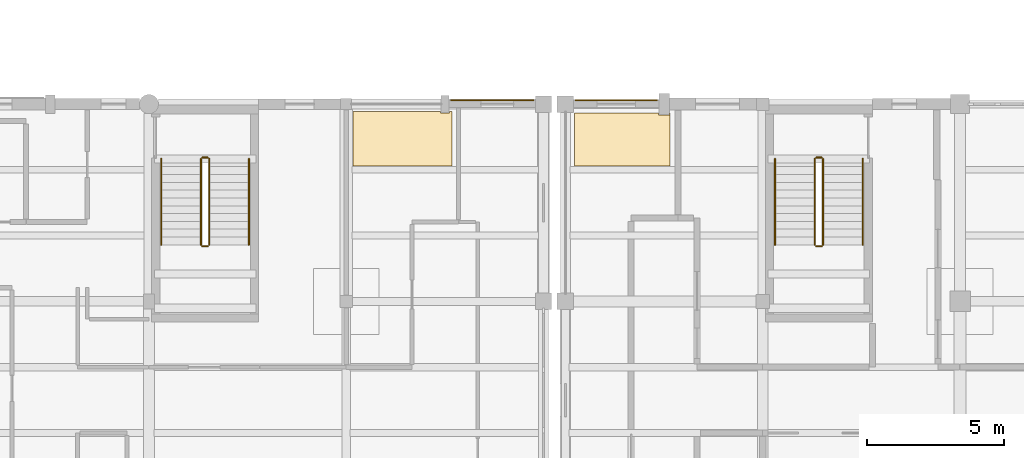
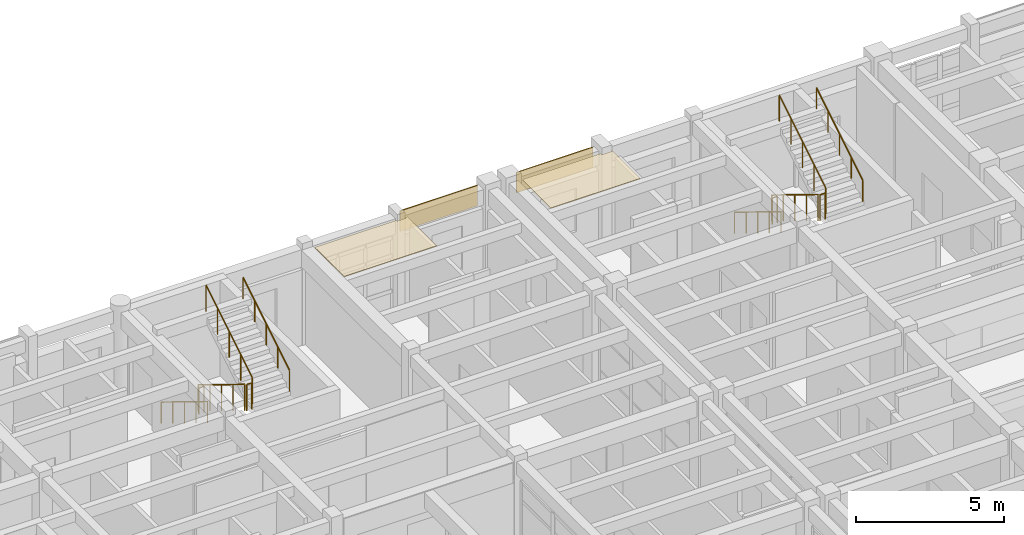
# One storey, part 107 of 110: 12 railings, 4 coverings.
"""IFC4 building model written with IfcOpenShell, lengths in metres."""

from ifc_helpers import new_model, si_unit, direction, frame, origin, origin_2d, place, context, subcontext, project, spatial, polyline, rectangle, circle, outline, extrude, material, layer, layer_set, type_object, element, save


model = new_model("IFC4")

# Units and contexts
model_context = context("Model", 3, precision=1e-05, world=origin(), true_north=direction((0.0, 1.0)))
body_context = subcontext(model_context, "Body", "Model", "MODEL_VIEW")
ifc_project = project(units=[si_unit("LENGTHUNIT", "METRE"), si_unit("AREAUNIT", "SQUARE_METRE"), si_unit("VOLUMEUNIT", "CUBIC_METRE"), si_unit("PLANEANGLEUNIT", "RADIAN"), si_unit("MASSUNIT", "GRAM", prefix="KILO")], contexts=[model_context])

# Site, building, storey
site_placement = place(None, origin())
site = spatial("IfcSite", under=ifc_project, at=site_placement, CompositionType="ELEMENT")
building_placement = place(site_placement, origin())
building = spatial("IfcBuilding", under=site, at=building_placement, Name="Steenspoor Specialist Clinic", CompositionType="ELEMENT")
storey_placement = place(building_placement, frame((0.0, 0.0, 4.800048828125)))
storey = spatial("IfcBuildingStorey", under=building, at=storey_placement, Name="L01", CompositionType="ELEMENT", Elevation=4.800048828125)

# Coverings
ifc_material_1 = material(Name="Washable acoustic mineral ceiling board", Category="gypsum")
ifc_layer_1 = layer(ifc_material_1, 0.02490234375)
ifc_layer_set_1 = layer_set([ifc_layer_1], Name="Washable acoustic mineral ceiling board")
covering_type_1 = type_object("IfcCoveringType", Name="COV-CEIL-ACOUSTIC", PredefinedType="CEILING", material=ifc_layer_set_1)
covering_1_placement = place(storey_placement, frame((0.0, 0.0, 3.925048828125)))
element("IfcCovering", 1, at=covering_1_placement, inside=storey, type_object=covering_type_1, Name="Acoustic Clinical Ceiling 108", PredefinedType="CEILING", context=body_context, shape_type="SweptSolid", body=[
    extrude(outline(polyline([(113.43505859375, 108.074951171875), (113.43505859375, 108.02490234375), (113.764892578125, 108.02490234375), (113.764892578125, 108.074951171875), (113.864990234375, 108.074951171875), (113.864990234375, 106.090087890625), (110.2451171875, 106.090087890625), (110.2451171875, 108.074951171875), (113.43505859375, 108.074951171875)])), origin(), (0.0, 0.0, 1.0), 0.02490234375),
])
covering_2_placement = place(storey_placement, frame((0.0, 0.0, 3.925048828125)))
element("IfcCovering", 2, at=covering_2_placement, inside=storey, type_object=covering_type_1, Name="Acoustic Clinical Ceiling 130", PredefinedType="CEILING", context=body_context, shape_type="SweptSolid", body=[
    extrude(outline(polyline([(118.324951171875, 108.02490234375), (121.39501953125, 108.02490234375), (121.39501953125, 107.955078125), (121.804931640625, 107.955078125), (121.804931640625, 108.02490234375), (121.81494140625, 108.02490234375), (121.81494140625, 106.090087890625), (118.324951171875, 106.090087890625), (118.324951171875, 108.02490234375)])), origin(), (0.0, 0.0, 1.0), 0.02490234375),
])
ifc_material_2 = material(Name="Glazed ceramic relief spandrel cladding", Category="masonry")
ifc_layer_2 = layer(ifc_material_2, 0.034912109375)
ifc_layer_set_2 = layer_set([ifc_layer_2], Name="Glazed ceramic relief spandrel cladding")
covering_type_2 = type_object("IfcCoveringType", Name="COV-CLAD-CERAMIC", PredefinedType="CLADDING", material=ifc_layer_set_2)
covering_3_placement = place(storey_placement, frame((115.324951171875, 108.489990234375, 3.11474609375), z_axis=(0.0, 0.0, 1.0), x_axis=(1.0, 0.0, 0.0)))
element("IfcCovering", 3, at=covering_3_placement, inside=storey, type_object=covering_type_2, Name="Spandrel Cladding 36", PredefinedType="CLADDING", context=body_context, shape_type="SweptSolid", body=[
    extrude(rectangle(XDim=3.030029296875, YDim=0.0400390625, at=origin_2d()), origin(), (0.0, 0.0, 1.0), 0.840087890625),
])
covering_4_placement = place(storey_placement, frame((119.85498046875, 108.489990234375, 3.11474609375), z_axis=(0.0, 0.0, 1.0), x_axis=(1.0, 0.0, 0.0)))
element("IfcCovering", 4, at=covering_4_placement, inside=storey, type_object=covering_type_2, Name="Spandrel Cladding 86", PredefinedType="CLADDING", context=body_context, shape_type="SweptSolid", body=[
    extrude(rectangle(XDim=2.989990234375, YDim=0.0400390625, at=origin_2d()), origin(), (0.0, 0.0, 1.0), 0.840087890625),
])

# Railings
ifc_material_3 = material(Name="Painted architectural steel balustrade", Category="steel")
railing_type_1 = type_object("IfcRailingType", Name="RAIL-GUARD-1100", PredefinedType="GUARDRAIL", material=ifc_material_3)
railing_1_placement = place(storey_placement, frame((104.699951171875, 106.35009765625, 0.175048828125)))
element("IfcRailing", 5, at=railing_1_placement, inside=storey, type_object=railing_type_1, Name="L01 ST-V4B stair guard 1", PredefinedType="GUARDRAIL", context=body_context, shape_type="SweptSolid", body=[
    extrude(circle(Radius=0.02392578125, at=origin_2d()), frame((0.0, 0.0, 1.076171875), z_axis=(0.0, -0.852195625947, 0.523223293744), x_axis=(1.0, 0.0, 0.0)), (0.0, 0.0, 1.0), 3.6787109375),
    extrude(circle(Radius=0.02099609375, at=origin_2d()), origin(), (0.0, 0.0, 1.0), 1.052001953125),
    extrude(circle(Radius=0.02099609375, at=origin_2d()), frame((0.0, -0.78369140625, 0.481201171875)), (0.0, 0.0, 1.0), 1.052001953125),
    extrude(circle(Radius=0.02099609375, at=origin_2d()), frame((0.0, -1.5673828125, 0.96240234375)), (0.0, 0.0, 1.0), 1.052001953125),
    extrude(circle(Radius=0.02099609375, at=origin_2d()), frame((0.0, -2.351318359375, 1.443603515625)), (0.0, 0.0, 1.0), 1.052001953125),
    extrude(circle(Radius=0.02099609375, at=origin_2d()), frame((0.0, -3.135009765625, 1.9248046875)), (0.0, 0.0, 1.0), 1.052001953125),
])
railing_2_placement = place(storey_placement, frame((104.75, 103.1650390625, 2.099853515625)))
element("IfcRailing", 6, at=railing_2_placement, inside=storey, type_object=railing_type_1, Name="L01 ST-V4B stair guard 2", PredefinedType="GUARDRAIL", context=body_context, shape_type="SweptSolid", body=[
    extrude(circle(Radius=0.02392578125, at=origin_2d()), frame((0.0, 0.0, 1.076171875), z_axis=(1.0, 0.0, 0.0), x_axis=(0.0, 1.0, 0.0)), (0.0, 0.0, 1.0), 0.199951171875),
    extrude(circle(Radius=0.02099609375, at=origin_2d()), origin(), (0.0, 0.0, 1.0), 1.052001953125),
    extrude(circle(Radius=0.02099609375, at=origin_2d()), frame((0.199951171875, 0.0, 0.0)), (0.0, 0.0, 1.0), 1.052001953125),
])
railing_3_placement = place(storey_placement, frame((105.0, 103.215087890625, 2.27490234375)))
element("IfcRailing", 7, at=railing_3_placement, inside=storey, type_object=railing_type_1, Name="L01 ST-V4B stair guard 3", PredefinedType="GUARDRAIL", context=body_context, shape_type="SweptSolid", body=[
    extrude(circle(Radius=0.02392578125, at=origin_2d()), frame((0.0, 0.0, 1.076171875), z_axis=(0.0, 0.852166034122, 0.523271488128), x_axis=(-1.0, 0.0, 0.0)), (0.0, 0.0, 1.0), 3.678955078125),
    extrude(circle(Radius=0.02099609375, at=origin_2d()), origin(), (0.0, 0.0, 1.0), 1.052001953125),
    extrude(circle(Radius=0.02099609375, at=origin_2d()), frame((0.0, 0.78369140625, 0.481201171875)), (0.0, 0.0, 1.0), 1.052001953125),
    extrude(circle(Radius=0.02099609375, at=origin_2d()), frame((0.0, 1.5673828125, 0.96240234375)), (0.0, 0.0, 1.0), 1.052001953125),
    extrude(circle(Radius=0.02099609375, at=origin_2d()), frame((0.0, 2.351318359375, 1.44384765625)), (0.0, 0.0, 1.0), 1.052001953125),
    extrude(circle(Radius=0.02099609375, at=origin_2d()), frame((0.0, 3.135009765625, 1.925048828125)), (0.0, 0.0, 1.0), 1.052001953125),
])
railing_4_placement = place(storey_placement, frame((104.75, 106.39990234375, 0.0)))
element("IfcRailing", 8, at=railing_4_placement, inside=storey, type_object=railing_type_1, Name="L01 ST-V4B stair guard 4", PredefinedType="GUARDRAIL", context=body_context, shape_type="SweptSolid", body=[
    extrude(circle(Radius=0.02392578125, at=origin_2d()), frame((0.0, 0.0, 1.076171875), z_axis=(1.0, 0.0, 0.0), x_axis=(0.0, 1.0, 0.0)), (0.0, 0.0, 1.0), 0.199951171875),
    extrude(circle(Radius=0.02099609375, at=origin_2d()), origin(), (0.0, 0.0, 1.0), 1.052001953125),
    extrude(circle(Radius=0.02099609375, at=origin_2d()), frame((0.199951171875, 0.0, 0.0)), (0.0, 0.0, 1.0), 1.052001953125),
])
railing_5_placement = place(storey_placement, frame((127.10009765625, 106.35009765625, 0.175048828125)))
element("IfcRailing", 9, at=railing_5_placement, inside=storey, type_object=railing_type_1, Name="L01 ST-V6A stair guard 1", PredefinedType="GUARDRAIL", context=body_context, shape_type="SweptSolid", body=[
    extrude(circle(Radius=0.02392578125, at=origin_2d()), frame((0.0, 0.0, 1.076171875), z_axis=(0.0, -0.852195625947, 0.523223293744), x_axis=(1.0, 0.0, 0.0)), (0.0, 0.0, 1.0), 3.6787109375),
    extrude(circle(Radius=0.02099609375, at=origin_2d()), origin(), (0.0, 0.0, 1.0), 1.052001953125),
    extrude(circle(Radius=0.02099609375, at=origin_2d()), frame((0.0, -0.78369140625, 0.481201171875)), (0.0, 0.0, 1.0), 1.052001953125),
    extrude(circle(Radius=0.02099609375, at=origin_2d()), frame((0.0, -1.5673828125, 0.96240234375)), (0.0, 0.0, 1.0), 1.052001953125),
    extrude(circle(Radius=0.02099609375, at=origin_2d()), frame((0.0, -2.351318359375, 1.443603515625)), (0.0, 0.0, 1.0), 1.052001953125),
    extrude(circle(Radius=0.02099609375, at=origin_2d()), frame((0.0, -3.135009765625, 1.9248046875)), (0.0, 0.0, 1.0), 1.052001953125),
])
railing_6_placement = place(storey_placement, frame((127.14990234375, 103.1650390625, 2.099853515625)))
element("IfcRailing", 10, at=railing_6_placement, inside=storey, type_object=railing_type_1, Name="L01 ST-V6A stair guard 2", PredefinedType="GUARDRAIL", context=body_context, shape_type="SweptSolid", body=[
    extrude(circle(Radius=0.02392578125, at=origin_2d()), frame((0.0, 0.0, 1.076171875), z_axis=(1.0, 0.0, 0.0), x_axis=(0.0, 1.0, 0.0)), (0.0, 0.0, 1.0), 0.2001953125),
    extrude(circle(Radius=0.02099609375, at=origin_2d()), origin(), (0.0, 0.0, 1.0), 1.052001953125),
    extrude(circle(Radius=0.02099609375, at=origin_2d()), frame((0.2001953125, 0.0, 0.0)), (0.0, 0.0, 1.0), 1.052001953125),
])
railing_7_placement = place(storey_placement, frame((127.39990234375, 103.215087890625, 2.27490234375)))
element("IfcRailing", 11, at=railing_7_placement, inside=storey, type_object=railing_type_1, Name="L01 ST-V6A stair guard 3", PredefinedType="GUARDRAIL", context=body_context, shape_type="SweptSolid", body=[
    extrude(circle(Radius=0.02392578125, at=origin_2d()), frame((0.0, 0.0, 1.076171875), z_axis=(0.0, 0.852166034122, 0.523271488128), x_axis=(-1.0, 0.0, 0.0)), (0.0, 0.0, 1.0), 3.678955078125),
    extrude(circle(Radius=0.02099609375, at=origin_2d()), origin(), (0.0, 0.0, 1.0), 1.052001953125),
    extrude(circle(Radius=0.02099609375, at=origin_2d()), frame((0.0, 0.78369140625, 0.481201171875)), (0.0, 0.0, 1.0), 1.052001953125),
    extrude(circle(Radius=0.02099609375, at=origin_2d()), frame((0.0, 1.5673828125, 0.96240234375)), (0.0, 0.0, 1.0), 1.052001953125),
    extrude(circle(Radius=0.02099609375, at=origin_2d()), frame((0.0, 2.351318359375, 1.44384765625)), (0.0, 0.0, 1.0), 1.052001953125),
    extrude(circle(Radius=0.02099609375, at=origin_2d()), frame((0.0, 3.135009765625, 1.925048828125)), (0.0, 0.0, 1.0), 1.052001953125),
])
railing_8_placement = place(storey_placement, frame((127.14990234375, 106.39990234375, 0.0)))
element("IfcRailing", 12, at=railing_8_placement, inside=storey, type_object=railing_type_1, Name="L01 ST-V6A stair guard 4", PredefinedType="GUARDRAIL", context=body_context, shape_type="SweptSolid", body=[
    extrude(circle(Radius=0.02392578125, at=origin_2d()), frame((0.0, 0.0, 1.076171875), z_axis=(1.0, 0.0, 0.0), x_axis=(0.0, 1.0, 0.0)), (0.0, 0.0, 1.0), 0.2001953125),
    extrude(circle(Radius=0.02099609375, at=origin_2d()), origin(), (0.0, 0.0, 1.0), 1.052001953125),
    extrude(circle(Radius=0.02099609375, at=origin_2d()), frame((0.2001953125, 0.0, 0.0)), (0.0, 0.0, 1.0), 1.052001953125),
])
ifc_material_4 = material(Name="Brushed stainless steel clinical handrail", Category="steel")
railing_type_2 = type_object("IfcRailingType", Name="RAIL-HAND-900", PredefinedType="HANDRAIL", material=ifc_material_4)
railing_9_placement = place(storey_placement, frame((103.25, 106.35009765625, 0.175048828125)))
element("IfcRailing", 13, at=railing_9_placement, inside=storey, type_object=railing_type_2, Name="L01 ST-V4B stair handrail 1", PredefinedType="HANDRAIL", context=body_context, shape_type="SweptSolid", body=[
    extrude(circle(Radius=0.02392578125, at=origin_2d()), frame((0.0, 0.0, 0.8759765625), z_axis=(0.0, -0.852195625947, 0.523223293744), x_axis=(1.0, 0.0, 0.0)), (0.0, 0.0, 1.0), 3.6787109375),
    extrude(circle(Radius=0.02099609375, at=origin_2d()), origin(), (0.0, 0.0, 1.0), 0.851806640625),
    extrude(circle(Radius=0.02099609375, at=origin_2d()), frame((0.0, -0.78369140625, 0.481201171875)), (0.0, 0.0, 1.0), 0.851806640625),
    extrude(circle(Radius=0.02099609375, at=origin_2d()), frame((0.0, -1.5673828125, 0.96240234375)), (0.0, 0.0, 1.0), 0.851806640625),
    extrude(circle(Radius=0.02099609375, at=origin_2d()), frame((0.0, -2.351318359375, 1.443603515625)), (0.0, 0.0, 1.0), 0.851806640625),
    extrude(circle(Radius=0.02099609375, at=origin_2d()), frame((0.0, -3.135009765625, 1.9248046875)), (0.0, 0.0, 1.0), 0.851806640625),
])
railing_10_placement = place(storey_placement, frame((106.449951171875, 103.215087890625, 2.27490234375)))
element("IfcRailing", 14, at=railing_10_placement, inside=storey, type_object=railing_type_2, Name="L01 ST-V4B stair handrail 2", PredefinedType="HANDRAIL", context=body_context, shape_type="SweptSolid", body=[
    extrude(circle(Radius=0.02392578125, at=origin_2d()), frame((0.0, 0.0, 0.8759765625), z_axis=(0.0, 0.852166034122, 0.523271488128), x_axis=(-1.0, 0.0, 0.0)), (0.0, 0.0, 1.0), 3.678955078125),
    extrude(circle(Radius=0.02099609375, at=origin_2d()), origin(), (0.0, 0.0, 1.0), 0.851806640625),
    extrude(circle(Radius=0.02099609375, at=origin_2d()), frame((0.0, 0.78369140625, 0.481201171875)), (0.0, 0.0, 1.0), 0.851806640625),
    extrude(circle(Radius=0.02099609375, at=origin_2d()), frame((0.0, 1.5673828125, 0.96240234375)), (0.0, 0.0, 1.0), 0.851806640625),
    extrude(circle(Radius=0.02099609375, at=origin_2d()), frame((0.0, 2.351318359375, 1.44384765625)), (0.0, 0.0, 1.0), 0.851806640625),
    extrude(circle(Radius=0.02099609375, at=origin_2d()), frame((0.0, 3.135009765625, 1.925048828125)), (0.0, 0.0, 1.0), 0.851806640625),
])
railing_11_placement = place(storey_placement, frame((125.64990234375, 106.35009765625, 0.175048828125)))
element("IfcRailing", 15, at=railing_11_placement, inside=storey, type_object=railing_type_2, Name="L01 ST-V6A stair handrail 1", PredefinedType="HANDRAIL", context=body_context, shape_type="SweptSolid", body=[
    extrude(circle(Radius=0.02392578125, at=origin_2d()), frame((0.0, 0.0, 0.8759765625), z_axis=(0.0, -0.852195625947, 0.523223293744), x_axis=(1.0, 0.0, 0.0)), (0.0, 0.0, 1.0), 3.6787109375),
    extrude(circle(Radius=0.02099609375, at=origin_2d()), origin(), (0.0, 0.0, 1.0), 0.851806640625),
    extrude(circle(Radius=0.02099609375, at=origin_2d()), frame((0.0, -0.78369140625, 0.481201171875)), (0.0, 0.0, 1.0), 0.851806640625),
    extrude(circle(Radius=0.02099609375, at=origin_2d()), frame((0.0, -1.5673828125, 0.96240234375)), (0.0, 0.0, 1.0), 0.851806640625),
    extrude(circle(Radius=0.02099609375, at=origin_2d()), frame((0.0, -2.351318359375, 1.443603515625)), (0.0, 0.0, 1.0), 0.851806640625),
    extrude(circle(Radius=0.02099609375, at=origin_2d()), frame((0.0, -3.135009765625, 1.9248046875)), (0.0, 0.0, 1.0), 0.851806640625),
])
railing_12_placement = place(storey_placement, frame((128.85009765625, 103.215087890625, 2.27490234375)))
element("IfcRailing", 16, at=railing_12_placement, inside=storey, type_object=railing_type_2, Name="L01 ST-V6A stair handrail 2", PredefinedType="HANDRAIL", context=body_context, shape_type="SweptSolid", body=[
    extrude(circle(Radius=0.02392578125, at=origin_2d()), frame((0.0, 0.0, 0.8759765625), z_axis=(0.0, 0.852166034122, 0.523271488128), x_axis=(-1.0, 0.0, 0.0)), (0.0, 0.0, 1.0), 3.678955078125),
    extrude(circle(Radius=0.02099609375, at=origin_2d()), origin(), (0.0, 0.0, 1.0), 0.851806640625),
    extrude(circle(Radius=0.02099609375, at=origin_2d()), frame((0.0, 0.78369140625, 0.481201171875)), (0.0, 0.0, 1.0), 0.851806640625),
    extrude(circle(Radius=0.02099609375, at=origin_2d()), frame((0.0, 1.5673828125, 0.96240234375)), (0.0, 0.0, 1.0), 0.851806640625),
    extrude(circle(Radius=0.02099609375, at=origin_2d()), frame((0.0, 2.351318359375, 1.44384765625)), (0.0, 0.0, 1.0), 0.851806640625),
    extrude(circle(Radius=0.02099609375, at=origin_2d()), frame((0.0, 3.135009765625, 1.925048828125)), (0.0, 0.0, 1.0), 0.851806640625),
])

save(model, "model.ifc")
